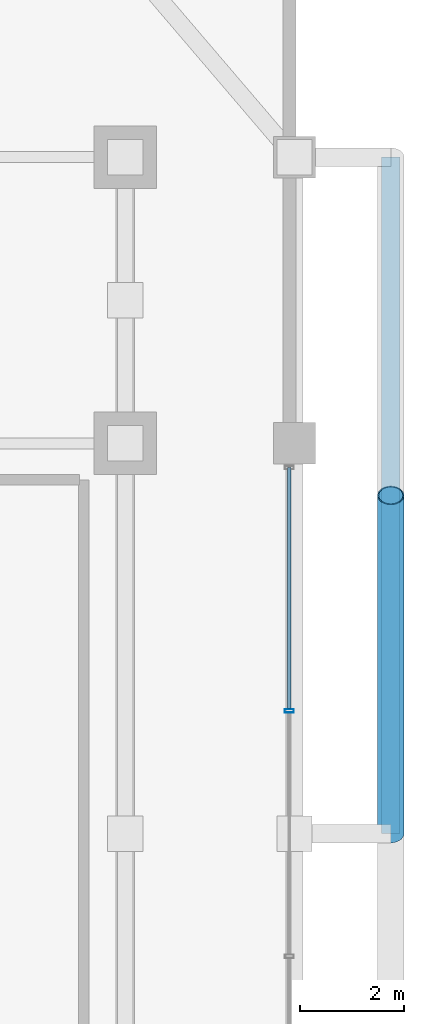
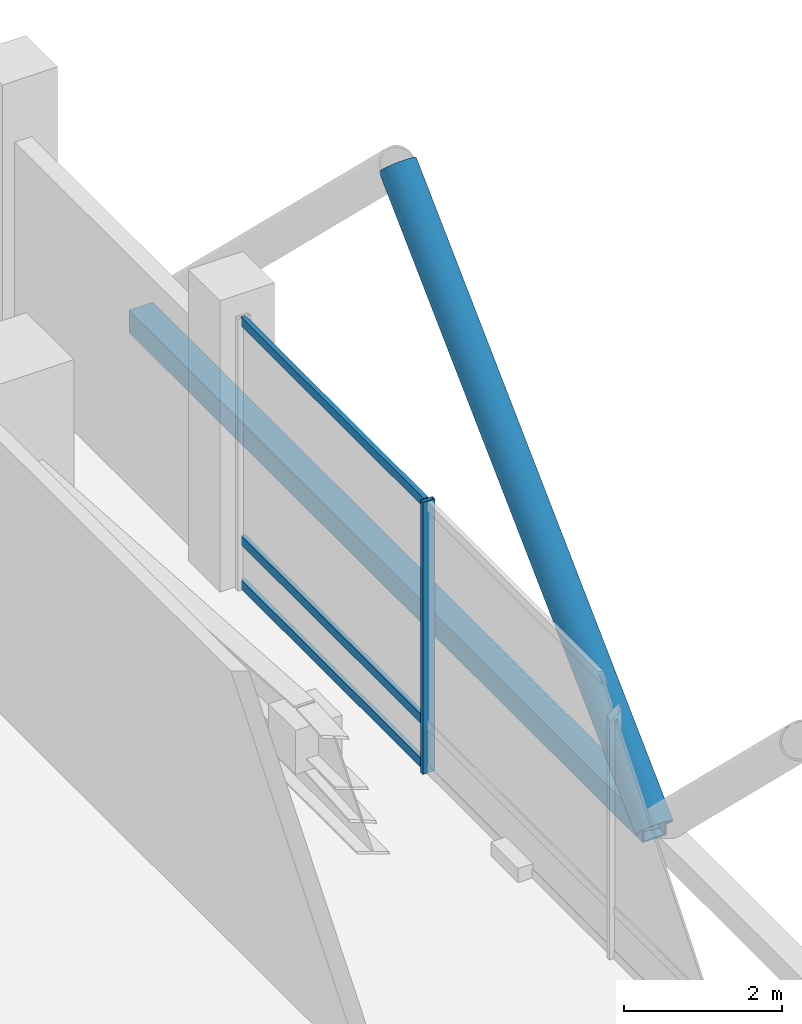
# One storey, part 11 of 22: 6 members, 1 element without a shape of its own.
"""IFC4 building model written with IfcOpenShell, lengths in metres."""

import ifcopenshell
import ifcopenshell.guid

model = None  # the IFC model being written
_history = None  # IfcOwnerHistory: only IFC2X3 demands one
_inside = {}  # id of a spatial element -> (the spatial element, [elements in it])
_under = {}  # id of a project, library or spatial element -> (it, [spatial elements below it])
_declared = {}  # id of a project -> (the project, [libraries it declares])
_typed = {}  # id of a type object -> (the type object, [elements of that type])
_made_of = {}  # id of a material, layer set ... -> (it, [elements and type objects made of it])


def new_model(schema):
    """Start an empty IFC model of exactly this schema.

    Asked for "IFC4X3", IfcOpenShell would pick the latest addendum, in which some entities
    have other attributes; the version numbers below select the first issue.
    IFC2X3 requires an IfcOwnerHistory on every rooted entity: one is made here for all.
    """
    global model, _history
    if schema == "IFC4X3":
        model = ifcopenshell.file(schema_version=(4, 3, 0, 0))
    else:
        model = ifcopenshell.file(schema=schema)
    _inside.clear()
    _under.clear()
    _declared.clear()
    _typed.clear()
    _made_of.clear()
    _history = None
    if model.schema == "IFC2X3":
        org = make("IfcOrganization", Name="unknown")
        user = make(
            "IfcPersonAndOrganization",
            ThePerson=make("IfcPerson", FamilyName="unknown"),
            TheOrganization=org,
        )
        app = make(
            "IfcApplication",
            ApplicationDeveloper=org,
            Version="unknown",
            ApplicationFullName="unknown",
            ApplicationIdentifier="unknown",
        )
        _history = make(
            "IfcOwnerHistory",
            OwningUser=user,
            OwningApplication=app,
            ChangeAction="ADDED",
            CreationDate=0,
        )
    return model


def make(cls, **values):
    """One entity of the class cls with the attributes given. An attribute that is None is left unset."""
    return model.create_entity(
        cls, **{name: value for name, value in values.items() if value is not None}
    )


def rooted(cls, **values):
    """An entity with a GlobalId (a new one), such as an element, a storey or a relation."""
    return make(cls, GlobalId=ifcopenshell.guid.new(), OwnerHistory=_history, **values)


def si_unit(unit_type, name, prefix=None):
    """IfcSIUnit, for example si_unit("LENGTHUNIT", "METRE", prefix="MILLI")."""
    return make("IfcSIUnit", UnitType=unit_type, Prefix=prefix, Name=name)


def assignment(units):
    """IfcUnitAssignment: the units of a project."""
    return None if units is None else make("IfcUnitAssignment", Units=units)


def point(xyz):
    """IfcCartesianPoint."""
    return None if xyz is None else make("IfcCartesianPoint", Coordinates=xyz)


def direction(xyz):
    """IfcDirection."""
    return None if xyz is None else make("IfcDirection", DirectionRatios=xyz)


def frame(location, z_axis=None, x_axis=None):
    """IfcAxis2Placement3D, a coordinate frame: its origin and axes. An axis left out is left unset."""
    return make(
        "IfcAxis2Placement3D",
        Location=point(location),
        Axis=direction(z_axis),
        RefDirection=direction(x_axis),
    )


def frame_2d(location, x_axis=None):
    """IfcAxis2Placement2D, a coordinate frame in the plane: its origin and x axis."""
    return make(
        "IfcAxis2Placement2D", Location=point(location), RefDirection=direction(x_axis)
    )


def origin():
    """The frame at (0, 0, 0) with its axes left unset."""
    return frame((0.0, 0.0, 0.0))


def origin_2d():
    """The frame at (0, 0) in the plane with its x axis left unset."""
    return frame_2d((0.0, 0.0))


def place(relative_to, where):
    """IfcLocalPlacement: puts the frame where relative to a parent placement (None: the world)."""
    return make(
        "IfcLocalPlacement", PlacementRelTo=relative_to, RelativePlacement=where
    )


def context(
    kind, dimensions, precision=None, world=None, true_north=None, identifier=None
):
    """IfcGeometricRepresentationContext, for example the 3D "Model" context."""
    return make(
        "IfcGeometricRepresentationContext",
        ContextIdentifier=identifier,
        ContextType=kind,
        CoordinateSpaceDimension=dimensions,
        Precision=precision,
        WorldCoordinateSystem=world,
        TrueNorth=true_north,
    )


def subcontext(parent, identifier, kind, view, scale=None):
    """IfcGeometricRepresentationSubContext, for example "Body" below "Model"."""
    return make(
        "IfcGeometricRepresentationSubContext",
        ContextIdentifier=identifier,
        ContextType=kind,
        ParentContext=parent,
        TargetScale=scale,
        TargetView=view,
    )


def project(units=None, contexts=None):
    """IfcProject with its units and contexts."""
    return rooted(
        "IfcProject",
        Name="project",
        RepresentationContexts=contexts,
        UnitsInContext=assignment(units),
    )


def spatial(cls, under=None, at=None, **own):
    """A site, building, storey or space (cls), placed at a placement, below another one or the project."""
    s = rooted(cls, ObjectPlacement=at, **own)
    if under is not None:
        _under.setdefault(under.id(), (under, []))[1].append(s)
    return s


def profile(cls, at=None, kind="AREA", **sizes):
    """A parametric profile (cls). Its sizes go by their IFC names, for example OverallWidth=200.0."""
    return make(cls, ProfileType=kind, Position=at, **sizes)


def hollow_rectangle(**sizes):
    """IfcRectangleHollowProfileDef."""
    return profile("IfcRectangleHollowProfileDef", **sizes)


def hollow_circle(**sizes):
    """IfcCircleHollowProfileDef."""
    return profile("IfcCircleHollowProfileDef", **sizes)


def extrude(swept, where, along, depth):
    """IfcExtrudedAreaSolid: the profile swept, set in the frame where, extruded along a direction by depth."""
    return make(
        "IfcExtrudedAreaSolid",
        SweptArea=swept,
        Position=where,
        ExtrudedDirection=direction(along),
        Depth=depth,
    )


def shape(context_of_items, identifier, shape_type, items):
    """IfcShapeRepresentation: the items that make up one representation, for example the "Body"."""
    return make(
        "IfcShapeRepresentation",
        ContextOfItems=context_of_items,
        RepresentationIdentifier=identifier,
        RepresentationType=shape_type,
        Items=items,
    )


def material(Name=None, Category=None):
    """IfcMaterial."""
    return make("IfcMaterial", Name=Name, Category=Category)


def layer(
    of_material, thickness, ventilated=None, Name=None, Category=None, Priority=None
):
    """IfcMaterialLayer: one layer of a wall or slab, of a material (None: an air gap)."""
    return make(
        "IfcMaterialLayer",
        Material=of_material,
        LayerThickness=thickness,
        IsVentilated=ventilated,
        Name=Name,
        Category=Category,
        Priority=Priority,
    )


def layer_set(layers, Name=None):
    """IfcMaterialLayerSet."""
    return make("IfcMaterialLayerSet", MaterialLayers=layers, LayerSetName=Name)


def material_profile(
    of_material, cross_section, Name=None, Category=None, Priority=None
):
    """IfcMaterialProfile: a cross section and its material."""
    return make(
        "IfcMaterialProfile",
        Name=Name,
        Material=of_material,
        Profile=cross_section,
        Priority=Priority,
        Category=Category,
    )


def profile_set(profiles, Name=None, composite=None):
    """IfcMaterialProfileSet."""
    return make(
        "IfcMaterialProfileSet",
        Name=Name,
        MaterialProfiles=profiles,
        CompositeProfile=composite,
    )


def made_of(thing, what):
    """Note that an element or type object is made of a material, layer set ...; save() writes the relation."""
    if what is not None:
        _made_of.setdefault(what.id(), (what, []))[1].append(thing)
    return thing


def type_object(cls, material=None, **own):
    """A type object (cls), such as IfcWallType, which elements share."""
    return made_of(rooted(cls, **own), material)


def element(
    cls,
    number,
    at=None,
    inside=None,
    cuts=None,
    type_object=None,
    material=None,
    context=None,
    identifier="Body",
    shape_type=None,
    held_by="IfcProductDefinitionShape",
    body=None,
    shapes=None,
    **own,
):
    """One element of the class cls, such as IfcWall. Its Tag is "e" and its number.

    at: its placement. inside: the storey or other place that contains it. cuts: it is an
    opening in that element (IfcRelVoidsElement). A single representation is given by context,
    identifier, shape_type and body (its items); several are given by shapes. held_by: the class
    of the entity that holds the representations. save() writes the other relations.
    """
    e = rooted(cls, Tag="e%d" % number, ObjectPlacement=at, **own)
    if body is not None:
        shapes = [shape(context, identifier, shape_type, body)]
    if shapes is not None:
        e.Representation = make(held_by, Representations=shapes)
    if inside is not None:
        _inside.setdefault(inside.id(), (inside, []))[1].append(e)
    if cuts is not None:
        rooted(
            "IfcRelVoidsElement", RelatingBuildingElement=cuts, RelatedOpeningElement=e
        )
    if type_object is not None:
        _typed.setdefault(type_object.id(), (type_object, []))[1].append(e)
    return made_of(e, material)


def aggregate(whole, parts):
    """IfcRelAggregates: a whole, such as a stair, and the parts it consists of."""
    return rooted("IfcRelAggregates", RelatingObject=whole, RelatedObjects=parts)


def save(model, path):
    """Write the relations noted so far, then the file.

    IfcRelAggregates (storeys below a building ...), IfcRelContainedInSpatialStructure (elements
    in a storey), IfcRelDefinesByType, IfcRelAssociatesMaterial and IfcRelDeclares: one each for
    every whole, place, type object, material and project.
    """
    for whole, parts in _under.values():
        aggregate(whole, parts)
    for where, things in _inside.values():
        rooted(
            "IfcRelContainedInSpatialStructure",
            RelatedElements=things,
            RelatingStructure=where,
        )
    for kind, things in _typed.values():
        rooted("IfcRelDefinesByType", RelatedObjects=things, RelatingType=kind)
    for what, things in _made_of.values():
        rooted("IfcRelAssociatesMaterial", RelatedObjects=things, RelatingMaterial=what)
    for by, libraries in _declared.values():
        rooted("IfcRelDeclares", RelatingContext=by, RelatedDefinitions=libraries)
    model.write(path)


model = new_model("IFC4")

# Units and contexts
model_context = context("Model", 3, precision=1e-05, world=origin(), true_north=direction((0.0, 1.0)))
body_context = subcontext(model_context, "Body", "Model", "MODEL_VIEW")
ifc_project = project(units=[si_unit("LENGTHUNIT", "METRE"), si_unit("AREAUNIT", "SQUARE_METRE"), si_unit("VOLUMEUNIT", "CUBIC_METRE"), si_unit("PLANEANGLEUNIT", "RADIAN"), si_unit("MASSUNIT", "GRAM", prefix="KILO")], contexts=[model_context])

# Site, building, storey
site_placement = place(None, origin())
site = spatial("IfcSite", under=ifc_project, at=site_placement, CompositionType="ELEMENT")
building_placement = place(site_placement, origin())
building = spatial("IfcBuilding", under=site, at=building_placement, Name="Barlavira Tower and Art Museum", CompositionType="ELEMENT")
storey_placement = place(building_placement, frame((0.0, 0.0, 120.60009765625)))
storey = spatial("IfcBuildingStorey", under=building, at=storey_placement, Name="L30", CompositionType="ELEMENT", Elevation=120.60009765625)

# Curtain wall, members
ifc_material_1 = material(Name="Low-iron coastal laminated glass", Category="glass")
ifc_layer = layer(ifc_material_1, 0.18994140625, Name="Low-iron coastal laminated glass")
ifc_layer_set = layer_set([ifc_layer], Name="Low-iron coastal laminated glass")
curtain_wall_type = type_object("IfcCurtainWallType", Name="Pale-Metal Unitised Curtain Wall Zone 2", PredefinedType="NOTDEFINED", material=ifc_layer_set)
curtain_wall_placement = place(storey_placement, origin())
curtain_wall = element("IfcCurtainWall", 1, at=curtain_wall_placement, inside=storey, type_object=curtain_wall_type, Name="L30 Curtain Wall CW2-L30-E-B3", PredefinedType="NOTDEFINED")
ifc_material_2 = material(Name="Pale anodised aluminium", Category="aluminium")
ifc_material_profile_1 = material_profile(ifc_material_2, hollow_rectangle(XDim=0.06494140625, YDim=0.179931640625, WallThickness=0.00390625, at=origin_2d()), Name="ALU-MULL 65x180x4")
ifc_profile_set_1 = profile_set([ifc_material_profile_1], Name="Pale anodised aluminium")
member_type_1 = type_object("IfcMemberType", Name="Curtain Wall Pale-Metal Mullion 65x180", PredefinedType="MULLION", material=ifc_profile_set_1)
member_1_placement = place(storey_placement, frame((20.14990234375, 2.360107421875, 0.0), z_axis=(0.0, 0.0, 1.0), x_axis=(0.0, 1.0, 0.0)))
member_1 = element("IfcMember", 2, at=member_1_placement, type_object=member_type_1, Name="CW2-L30-E-B3 Mullion 2", PredefinedType="MULLION", context=body_context, shape_type="SweptSolid", body=[
    extrude(hollow_rectangle(XDim=0.06494140625, YDim=0.179931640625, WallThickness=0.00390625, at=origin_2d()), origin(), (0.0, 0.0, 1.0), 4.199951171875),
])
ifc_material_profile_2 = material_profile(ifc_material_2, hollow_rectangle(XDim=0.06494140625, YDim=0.139892578125, WallThickness=0.00390625, at=origin_2d()), Name="ALU-TRAN 65x140x4")
ifc_profile_set_2 = profile_set([ifc_material_profile_2], Name="Pale anodised aluminium")
member_type_2 = type_object("IfcMemberType", Name="Curtain Wall Pale-Metal Transom 65x140", PredefinedType="USERDEFINED", material=ifc_profile_set_2)
member_2_placement = place(storey_placement, frame((20.14990234375, 2.405029296875, 0.06982421875), z_axis=(0.0, 1.0, 0.0), x_axis=(-1.0, 0.0, 0.0)))
member_2 = element("IfcMember", 3, at=member_2_placement, type_object=member_type_2, Name="CW2-L30-E-B3 Transom 2.1", ObjectType="TRANSOM", PredefinedType="USERDEFINED", context=body_context, shape_type="SweptSolid", body=[
    extrude(hollow_rectangle(XDim=0.06494140625, YDim=0.139892578125, WallThickness=0.00390625, at=origin_2d()), origin(), (0.0, 0.0, 1.0), 4.6298828125),
])
member_3_placement = place(storey_placement, frame((20.14990234375, 2.405029296875, 0.75), z_axis=(0.0, 1.0, 0.0), x_axis=(-1.0, 0.0, 0.0)))
member_3 = element("IfcMember", 4, at=member_3_placement, type_object=member_type_2, Name="CW2-L30-E-B3 Transom 2.2", ObjectType="TRANSOM", PredefinedType="USERDEFINED", context=body_context, shape_type="SweptSolid", body=[
    extrude(hollow_rectangle(XDim=0.06494140625, YDim=0.139892578125, WallThickness=0.00390625, at=origin_2d()), origin(), (0.0, 0.0, 1.0), 4.6298828125),
])
member_4_placement = place(storey_placement, frame((20.14990234375, 2.405029296875, 4.1298828125), z_axis=(0.0, 1.0, 0.0), x_axis=(-1.0, 0.0, 0.0)))
member_4 = element("IfcMember", 5, at=member_4_placement, type_object=member_type_2, Name="CW2-L30-E-B3 Transom 2.3", ObjectType="TRANSOM", PredefinedType="USERDEFINED", context=body_context, shape_type="SweptSolid", body=[
    extrude(hollow_rectangle(XDim=0.06494140625, YDim=0.139892578125, WallThickness=0.00390625, at=origin_2d()), origin(), (0.0, 0.0, 1.0), 4.6298828125),
])
aggregate(curtain_wall, [member_1, member_2, member_3, member_4])

# Members
ifc_material_3 = material(Name="Steel S355", Category="steel")
ifc_material_profile_3 = material_profile(ifc_material_3, hollow_circle(Radius=0.25390625, WallThickness=0.022216796875, at=origin_2d()), Name="CHS 508.0x22.2")
ifc_profile_set_3 = profile_set([ifc_material_profile_3], Name="Steel S355")
member_type_3 = type_object("IfcMemberType", Name="Pale-Metal Exoskeleton Diagrid Tube CHS 508x22 Steel S355", PredefinedType="BRACE", material=ifc_profile_set_3)
member_5_placement = place(storey_placement, frame((22.10009765625, 0.0, -0.1201171875), z_axis=(0.0, 0.718064979499, 0.695976066555), x_axis=(-1.0, 0.0, 0.0)))
element("IfcMember", 6, at=member_5_placement, inside=storey, type_object=member_type_3, Name="L30 Exoskeleton Diagrid Tube E", PredefinedType="BRACE", context=body_context, shape_type="SweptSolid", body=[
    extrude(hollow_circle(Radius=0.25390625, WallThickness=0.022216796875, at=origin_2d()), origin(), (0.0, 0.0, 1.0), 9.052001953125),
])
ifc_material_profile_4 = material_profile(ifc_material_3, hollow_rectangle(XDim=0.35009765625, YDim=0.35009765625, WallThickness=0.02001953125, at=origin_2d()), Name="SHS 350x350x20.0")
ifc_profile_set_4 = profile_set([ifc_material_profile_4], Name="Steel S355")
member_type_4 = type_object("IfcMemberType", Name="Pale-Metal Exoskeleton Ring Strut SHS 350x350x20 Steel S355", PredefinedType="STRUT", material=ifc_profile_set_4)
member_6_placement = place(storey_placement, frame((22.10009765625, 0.0, -0.1201171875), z_axis=(0.0, 1.0, 0.0), x_axis=(-1.0, 0.0, 0.0)))
element("IfcMember", 7, at=member_6_placement, inside=storey, type_object=member_type_4, Name="L30 Exoskeleton Ring Strut E", PredefinedType="STRUT", context=body_context, shape_type="SweptSolid", body=[
    extrude(hollow_rectangle(XDim=0.35009765625, YDim=0.35009765625, WallThickness=0.02001953125, at=origin_2d()), origin(), (0.0, 0.0, 1.0), 13.0),
])

save(model, "model.ifc")
